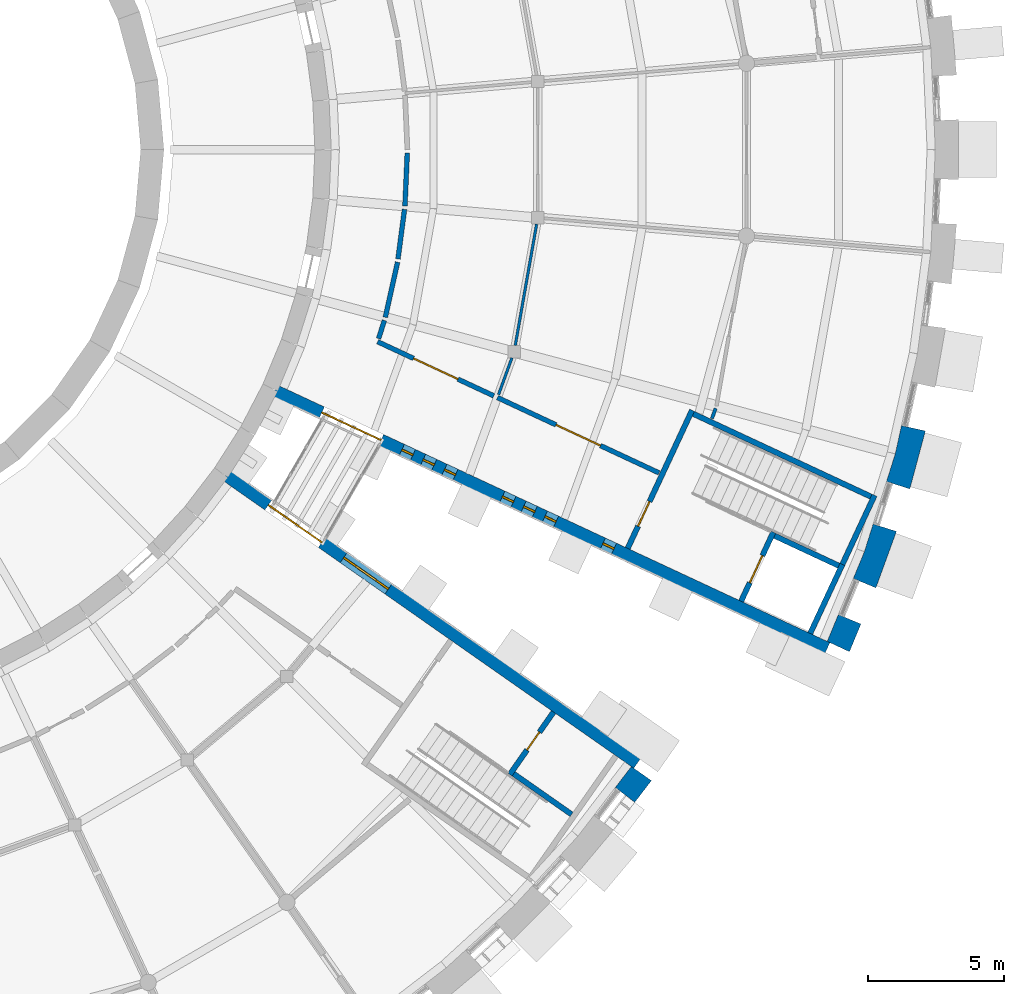
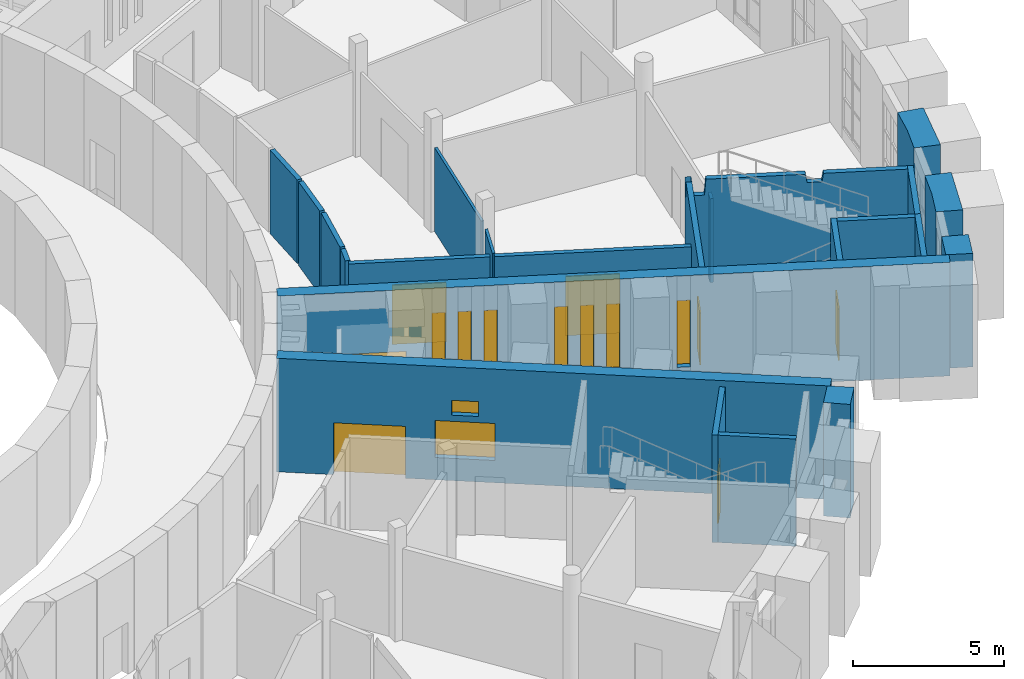
# One storey, part 44 of 66: 23 walls, 9 windows, 7 doors, 16 openings.
"""IFC4 building model written with IfcOpenShell, lengths in metres."""

from ifc_helpers import new_model, si_unit, direction, frame, frame_2d, origin, place, context, subcontext, project, spatial, polyline, rectangle, outline, extrude, material, layer, layer_set, type_object, element, fill, save


model = new_model("IFC4")

# Units and contexts
model_context = context("Model", 3, precision=1e-05, world=origin(), true_north=direction((0.0, 1.0)))
body_context = subcontext(model_context, "Body", "Model", "MODEL_VIEW")
ifc_project = project(units=[si_unit("LENGTHUNIT", "METRE"), si_unit("AREAUNIT", "SQUARE_METRE"), si_unit("VOLUMEUNIT", "CUBIC_METRE"), si_unit("PLANEANGLEUNIT", "RADIAN"), si_unit("MASSUNIT", "GRAM", prefix="KILO")], contexts=[model_context])

# Site, building, storey
site_placement = place(None, origin())
site = spatial("IfcSite", under=ifc_project, at=site_placement, CompositionType="ELEMENT")
building_placement = place(site_placement, origin())
building = spatial("IfcBuilding", under=site, at=building_placement, Name="Volute Hill Aquarium", CompositionType="ELEMENT")
storey_placement = place(building_placement, frame((0.0, 0.0, 4.60009765625)))
storey = spatial("IfcBuildingStorey", under=building, at=storey_placement, Name="L02", CompositionType="ELEMENT", Elevation=4.60009765625)

# Wall, opening, door
ifc_material_1 = material(Name="Concrete C30/37", Category="concrete")
ifc_layer_1 = layer(ifc_material_1, 0.199951171875)
ifc_layer_set_1 = layer_set([ifc_layer_1], Name="Core wall 200 REI 60")
wall_type_1 = type_object("IfcWallType", Name="Core wall 200 REI 60", PredefinedType="SHEAR", material=ifc_layer_set_1)
wall_1_placement = place(storey_placement, frame((31.89599609375, -14.652587890625, 0.0), z_axis=(0.0, 0.0, 1.0), x_axis=(0.422632457081, 0.906301167505, 0.0)))
wall_1 = element("IfcWall", 1, at=wall_1_placement, inside=storey, type_object=wall_type_1, Name="wc/S4-A/L02/in", PredefinedType="SHEAR", context=body_context, shape_type="SweptSolid", body=[
    extrude(outline(polyline([(0.0, 0.0), (5.599853515625, 0.0), (5.60009765625, 4.349853515625), (5.550048828125, 3.7099609375), (5.35009765625, 3.7099609375), (5.300048828125, 4.349853515625), (0.0, 4.349853515625), (0.0, 0.0)])), frame((0.0, 0.10009765625, 0.0), z_axis=(0.0, -1.0, 0.0), x_axis=(1.0, 0.0, 0.0)), (0.0, 0.0, 1.0), 0.199951171875),
])
opening_1_placement = place(wall_1_placement, frame((0.89990234375, 0.0, 0.0)))
opening_1 = element("IfcOpeningElement", 2, at=opening_1_placement, cuts=wall_1, Name="Opening D4.02.AS", PredefinedType="OPENING", context=body_context, shape_type="SweptSolid", body=[
    extrude(rectangle(XDim=1.0, YDim=2.10009765625, at=frame_2d((0.5, 1.050048828125))), frame((0.0, 0.10986328125, 0.0), z_axis=(0.0, -1.0, 0.0), x_axis=(1.0, 0.0, 0.0)), (0.0, 0.0, 1.0), 0.219970703125),
])
ifc_material_2 = material(Name="Timber, fire-rated", Category="wood")
door_type_1 = type_object("IfcDoorType", Name="Door 1000 x 2100 single EI1 30", OperationType="SINGLE_SWING_LEFT", PredefinedType="DOOR", material=ifc_material_2)
door_1_placement = place(opening_1_placement, origin())
door_1 = element("IfcDoor", 3, at=door_1_placement, inside=storey, type_object=door_type_1, Name="d/S4-A/L02/st", OperationType="SINGLE_SWING_RIGHT", OverallHeight=2.10009765625, OverallWidth=1.0, PredefinedType="DOOR", context=body_context, shape_type="SweptSolid", body=[
    extrude(rectangle(XDim=1.0, YDim=2.10009765625, at=frame_2d((0.5, 1.050048828125))), frame((0.0, 0.02490234375, 0.0), z_axis=(0.0, -1.0, 0.0), x_axis=(1.0, 0.0, 0.0)), (0.0, 0.0, 1.0), 0.050048828125),
])
fill(opening_1, door_1)

# Walls
wall_2_placement = place(storey_placement, frame((34.31103515625, -9.710205078125, 0.0), z_axis=(0.0, 0.0, 1.0), x_axis=(0.906300917592, -0.422632992999, 0.0)))
element("IfcWall", 4, at=wall_2_placement, inside=storey, type_object=wall_type_1, Name="wc/S4-A/L02/side", PredefinedType="SHEAR", context=body_context, shape_type="SweptSolid", body=[
    extrude(outline(polyline([(0.0, 0.0), (7.199951171875, 0.0), (7.199951171875, 4.349853515625), (4.392578125, 4.349853515625), (4.342529296875, 4.010009765625), (3.842529296875, 4.010009765625), (3.79248046875, 4.349853515625), (0.477294921875, 4.349853515625), (0.42724609375, 3.7099609375), (0.050048828125, 3.7099609375), (0.0, 4.349853515625), (0.0, 0.0)])), frame((0.0, 0.10009765625, 0.0), z_axis=(0.0, -1.0, 0.0), x_axis=(1.0, 0.0, 0.0)), (0.0, 0.0, 1.0), 0.199951171875),
])
wall_3_placement = place(storey_placement, frame((39.785888671875, -15.242431640625, 0.0), z_axis=(0.0, 0.0, 1.0), x_axis=(0.422599061068, 0.90631674021, 0.0)))
element("IfcWall", 5, at=wall_3_placement, inside=storey, type_object=wall_type_1, Name="wc/S4-A/L02/out-b", PredefinedType="SHEAR", context=body_context, shape_type="SweptSolid", body=[
    extrude(rectangle(XDim=2.80029296875, YDim=0.199951171875, at=frame_2d((1.400146484375, 0.0))), origin(), (0.0, 0.0, 1.0), 4.349853515625),
])

# Wall, opening, door
ifc_material_3 = material(Name="Gypsum board on steel studs", Category="steel")
ifc_layer_2 = layer(ifc_material_3, 0.175048828125)
ifc_layer_set_2 = layer_set([ifc_layer_2], Name="Corridor partition 175 EI 60")
wall_type_2 = type_object("IfcWallType", Name="Corridor partition 175 EI 60", PredefinedType="PARTITIONING", material=ifc_layer_set_2)
wall_4_placement = place(storey_placement, frame((27.109619140625, -9.110595703125, 0.0), z_axis=(0.0, 0.0, 1.0), x_axis=(0.906297375057, -0.422640589585, 0.0)))
wall_4 = element("IfcWall", 6, at=wall_4_placement, inside=storey, type_object=wall_type_2, Name="pw/S4/L02/004", PredefinedType="PARTITIONING", context=body_context, shape_type="SweptSolid", body=[
    extrude(rectangle(XDim=6.550048828125, YDim=0.175048828125, at=frame_2d((3.27490234375, 0.0))), origin(), (0.0, 0.0, 1.0), 3.389892578125),
])
opening_2_placement = place(wall_4_placement, frame((2.375, 0.0, 0.0)))
opening_2 = element("IfcOpeningElement", 7, at=opening_2_placement, cuts=wall_4, Name="Opening D4.02.03", PredefinedType="OPENING", context=body_context, shape_type="SweptSolid", body=[
    extrude(rectangle(XDim=1.800048828125, YDim=2.39990234375, at=frame_2d((0.89990234375, 1.199951171875))), frame((0.0, 0.097412109375, 0.0), z_axis=(0.0, -1.0, 0.0), x_axis=(1.0, 0.0, 0.0)), (0.0, 0.0, 1.0), 0.195068359375),
])
ifc_material_4 = material(Name="Timber, fire-rated", Category="wood")
door_type_2 = type_object("IfcDoorType", Name="Door 1800 x 2400 gallery double EI1 30", OperationType="DOUBLE_DOOR_SINGLE_SWING", PredefinedType="DOOR", material=ifc_material_4)
door_2_placement = place(opening_2_placement, origin())
door_2 = element("IfcDoor", 8, at=door_2_placement, inside=storey, type_object=door_type_2, Name="d/S4/L02/03", OperationType="SINGLE_SWING_LEFT", OverallHeight=2.39990234375, OverallWidth=1.800048828125, PredefinedType="DOOR", context=body_context, shape_type="SweptSolid", body=[
    extrude(rectangle(XDim=1.800048828125, YDim=2.39990234375, at=frame_2d((0.89990234375, 1.199951171875))), frame((0.0, 0.02490234375, 0.0), z_axis=(0.0, -1.0, 0.0), x_axis=(1.0, 0.0, 0.0)), (0.0, 0.0, 1.0), 0.050048828125),
])
fill(opening_2, door_2)

wall_5_placement = place(storey_placement, frame((22.7060546875, -7.057373046875, 0.0), z_axis=(0.0, 0.0, 1.0), x_axis=(0.906308936169, -0.422615797409, 0.0)))
wall_5 = element("IfcWall", 9, at=wall_5_placement, inside=storey, type_object=wall_type_2, Name="pw/S4/L02/010", PredefinedType="PARTITIONING", context=body_context, shape_type="SweptSolid", body=[
    extrude(rectangle(XDim=4.708740234375, YDim=0.175048828125, at=frame_2d((2.3544921875, 0.0))), origin(), (0.0, 0.0, 1.0), 3.389892578125),
])
opening_3_placement = place(wall_5_placement, frame((1.454345703125, 0.0, 0.0)))
opening_3 = element("IfcOpeningElement", 10, at=opening_3_placement, cuts=wall_5, Name="Opening D4.02.01", PredefinedType="OPENING", context=body_context, shape_type="SweptSolid", body=[
    extrude(rectangle(XDim=1.800048828125, YDim=2.39990234375, at=frame_2d((0.89990234375, 1.199951171875))), frame((0.0, 0.097412109375, 0.0), z_axis=(0.0, -1.0, 0.0), x_axis=(1.0, 0.0, 0.0)), (0.0, 0.0, 1.0), 0.195068359375),
])
door_3_placement = place(opening_3_placement, origin())
door_3 = element("IfcDoor", 11, at=door_3_placement, inside=storey, type_object=door_type_2, Name="d/S4/L02/01", OperationType="SINGLE_SWING_LEFT", OverallHeight=2.39990234375, OverallWidth=1.800048828125, PredefinedType="DOOR", context=body_context, shape_type="SweptSolid", body=[
    extrude(rectangle(XDim=1.800048828125, YDim=2.39990234375, at=frame_2d((0.89990234375, 1.199951171875))), frame((0.0, 0.02490234375, 0.0), z_axis=(0.0, -1.0, 0.0), x_axis=(1.0, 0.0, 0.0)), (0.0, 0.0, 1.0), 0.050048828125),
])
fill(opening_3, door_3)

# Walls
wall_6_placement = place(storey_placement, frame((23.4384765625, -4.1328125, 0.0), z_axis=(0.0, 0.0, 1.0), x_axis=(-0.216469786072, -0.97628931763, 0.0)))
element("IfcWall", 12, at=wall_6_placement, inside=storey, type_object=wall_type_2, Name="pw/S4/L02/023", PredefinedType="PARTITIONING", context=body_context, shape_type="SweptSolid", body=[
    extrude(rectangle(XDim=2.076416015625, YDim=0.175048828125, at=frame_2d((1.0380859375, 0.0))), origin(), (0.0, 0.0, 1.0), 3.389892578125),
])
wall_7_placement = place(storey_placement, frame((23.794921875, -0.117431640625, 0.0), z_axis=(0.0, 0.0, 1.0), x_axis=(-0.043626546244, -0.999047908993, 0.0)))
element("IfcWall", 13, at=wall_7_placement, inside=storey, type_object=wall_type_2, Name="pw/S4/L02/025", PredefinedType="PARTITIONING", context=body_context, shape_type="SweptSolid", body=[
    extrude(rectangle(XDim=1.958740234375, YDim=0.175048828125, at=frame_2d((0.9794921875, 0.0))), origin(), (0.0, 0.0, 1.0), 3.389892578125),
])
wall_8_placement = place(storey_placement, frame((23.694091796875, -2.19091796875, 0.0), z_axis=(0.0, 0.0, 1.0), x_axis=(-0.130608862447, -0.991433974126, 0.0)))
element("IfcWall", 14, at=wall_8_placement, inside=storey, type_object=wall_type_2, Name="pw/S4/L02/027", PredefinedType="PARTITIONING", context=body_context, shape_type="SweptSolid", body=[
    extrude(rectangle(XDim=1.84130859375, YDim=0.175048828125, at=frame_2d((0.920654296875, 0.0))), origin(), (0.0, 0.0, 1.0), 3.389892578125),
])
wall_9_placement = place(storey_placement, frame((22.95361328125, -6.27197265625, 0.0), z_axis=(0.0, 0.0, 1.0), x_axis=(-0.300518931654, -0.953775849829, 0.0)))
element("IfcWall", 15, at=wall_9_placement, inside=storey, type_object=wall_type_2, Name="pw/S4/L02/031", PredefinedType="PARTITIONING", context=body_context, shape_type="SweptSolid", body=[
    extrude(rectangle(XDim=0.7060546875, YDim=0.175048828125, at=frame_2d((0.35302734375, 0.0))), origin(), (0.0, 0.0, 1.0), 3.389892578125),
])

# Wall, openings, door, windows
ifc_material_5 = material(Name="Concrete C35/45", Category="concrete")
ifc_layer_3 = layer(ifc_material_5, 0.449951171875)
ifc_layer_set_3 = layer_set([ifc_layer_3], Name="End wall 450 C35/45")
wall_type_3 = type_object("IfcWallType", Name="End wall 450 C35/45", PredefinedType="SHEAR", material=ifc_layer_set_3)
wall_10_placement = place(storey_placement, frame((17.134521484375, -11.96728515625, 0.0), z_axis=(0.0, 0.0, 1.0), x_axis=(0.819154205715, -0.573573349502, 0.0)))
wall_10 = element("IfcWall", 16, at=wall_10_placement, inside=storey, type_object=wall_type_3, Name="sw/S3/L02/endB", PredefinedType="SHEAR", context=body_context, shape_type="SweptSolid", body=[
    extrude(rectangle(XDim=18.4501953125, YDim=0.449951171875, at=frame_2d((9.22509765625, 0.0))), origin(), (0.0, 0.0, 1.0), 4.599853515625),
])
opening_4_placement = place(wall_10_placement, frame((5.277587890625, 0.0, 0.89990234375)))
opening_4 = element("IfcOpeningElement", 17, at=opening_4_placement, cuts=wall_10, Name="Opening W11", PredefinedType="OPENING", context=body_context, shape_type="SweptSolid", body=[
    extrude(rectangle(XDim=2.007568359375, YDim=1.5, at=frame_2d((1.00390625, 0.75))), frame((0.0, 0.23486328125, 0.0), z_axis=(0.0, -1.0, 0.0), x_axis=(1.0, 0.0, 0.0)), (0.0, 0.0, 1.0), 0.469970703125),
])
opening_5_placement = place(wall_10_placement, frame((5.831298828125, 0.0, 2.64990234375)))
opening_5 = element("IfcOpeningElement", 18, at=opening_5_placement, cuts=wall_10, Name="Opening W10", PredefinedType="OPENING", context=body_context, shape_type="SweptSolid", body=[
    extrude(rectangle(XDim=0.89990234375, YDim=0.60009765625, at=frame_2d((0.449951171875, 0.300048828125))), frame((0.0, 0.23486328125, 0.0), z_axis=(0.0, -1.0, 0.0), x_axis=(1.0, 0.0, 0.0)), (0.0, 0.0, 1.0), 0.469970703125),
])
opening_6_placement = place(wall_10_placement, frame((1.89990234375, 0.0, 0.0)))
opening_6 = element("IfcOpeningElement", 19, at=opening_6_placement, cuts=wall_10, Name="Opening D3.02.BB", PredefinedType="OPENING", context=body_context, shape_type="SweptSolid", body=[
    extrude(rectangle(XDim=2.39990234375, YDim=2.10009765625, at=frame_2d((1.199951171875, 1.050048828125))), frame((0.0, 0.23486328125, 0.0), z_axis=(0.0, -1.0, 0.0), x_axis=(1.0, 0.0, 0.0)), (0.0, 0.0, 1.0), 0.469970703125),
])
ifc_material_6 = material(Name="Timber", Category="wood")
door_type_3 = type_object("IfcDoorType", Name="Door 2400 x 2100 bridge double", OperationType="DOUBLE_DOOR_SINGLE_SWING", PredefinedType="DOOR", material=ifc_material_6)
door_4_placement = place(opening_6_placement, origin())
door_4 = element("IfcDoor", 20, at=door_4_placement, inside=storey, type_object=door_type_3, Name="d/S3/L02/brB", OperationType="SINGLE_SWING_LEFT", OverallHeight=2.10009765625, OverallWidth=2.39990234375, PredefinedType="DOOR", context=body_context, shape_type="SweptSolid", body=[
    extrude(rectangle(XDim=2.39990234375, YDim=2.10009765625, at=frame_2d((1.199951171875, 1.050048828125))), frame((0.0, 0.02490234375, 0.0), z_axis=(0.0, -1.0, 0.0), x_axis=(1.0, 0.0, 0.0)), (0.0, 0.0, 1.0), 0.050048828125),
])
fill(opening_6, door_4)
ifc_material_7 = material(Name="Aluminium and glass", Category="aluminium")
window_type_1 = type_object("IfcWindowType", Name="End wall window 2007x1500", PartitioningType="SINGLE_PANEL", PredefinedType="WINDOW", material=ifc_material_7)
window_1_placement = place(opening_4_placement, origin())
window_1 = element("IfcWindow", 21, at=window_1_placement, inside=storey, type_object=window_type_1, Name="End wall window S3B L02 2.1", OverallHeight=1.5, OverallWidth=2.007568359375, PartitioningType="SINGLE_PANEL", PredefinedType="WINDOW", context=body_context, shape_type="SweptSolid", body=[
    extrude(rectangle(XDim=2.007568359375, YDim=1.5, at=frame_2d((1.00390625, 0.75))), frame((0.0, 0.030029296875, 0.0), z_axis=(0.0, -1.0, 0.0), x_axis=(1.0, 0.0, 0.0)), (0.0, 0.0, 1.0), 0.06005859375),
])
fill(opening_4, window_1)
ifc_material_8 = material(Name="Aluminium and glass", Category="aluminium")
window_type_2 = type_object("IfcWindowType", Name="End wall window 900x600", PartitioningType="SINGLE_PANEL", PredefinedType="WINDOW", material=ifc_material_8)
window_2_placement = place(opening_5_placement, origin())
window_2 = element("IfcWindow", 22, at=window_2_placement, inside=storey, type_object=window_type_2, Name="End wall window S3B L02 2.2", OverallHeight=0.60009765625, OverallWidth=0.89990234375, PartitioningType="SINGLE_PANEL", PredefinedType="WINDOW", context=body_context, shape_type="SweptSolid", body=[
    extrude(rectangle(XDim=0.89990234375, YDim=0.60009765625, at=frame_2d((0.449951171875, 0.300048828125))), frame((0.0, 0.030029296875, 0.0), z_axis=(0.0, -1.0, 0.0), x_axis=(1.0, 0.0, 0.0)), (0.0, 0.0, 1.0), 0.06005859375),
])
fill(opening_5, window_2)

wall_11_placement = place(storey_placement, frame((18.931396484375, -8.85546875, 0.0), z_axis=(0.0, 0.0, 1.0), x_axis=(0.906309235651, -0.422615155162, 0.0)))
wall_11 = element("IfcWall", 23, at=wall_11_placement, inside=storey, type_object=wall_type_3, Name="sw/S4/L02/endA", PredefinedType="SHEAR", context=body_context, shape_type="SweptSolid", body=[
    extrude(rectangle(XDim=22.39990234375, YDim=0.449951171875, at=frame_2d((11.199951171875, 0.0))), origin(), (0.0, 0.0, 1.0), 4.599853515625),
])
opening_7_placement = place(wall_11_placement, frame((5.146240234375, 0.0, 0.89990234375)))
opening_7 = element("IfcOpeningElement", 24, at=opening_7_placement, cuts=wall_11, Name="Opening W12", PredefinedType="OPENING", context=body_context, shape_type="SweptSolid", body=[
    extrude(rectangle(XDim=0.449951171875, YDim=2.699951171875, at=frame_2d((0.22509765625, 1.35009765625))), frame((0.0, 0.23486328125, 0.0), z_axis=(0.0, -1.0, 0.0), x_axis=(1.0, 0.0, 0.0)), (0.0, 0.0, 1.0), 0.469970703125),
])
opening_8_placement = place(wall_11_placement, frame((6.009033203125, 0.0, 0.89990234375)))
opening_8 = element("IfcOpeningElement", 25, at=opening_8_placement, cuts=wall_11, Name="Opening W12", PredefinedType="OPENING", context=body_context, shape_type="SweptSolid", body=[
    extrude(rectangle(XDim=0.449951171875, YDim=2.699951171875, at=frame_2d((0.22509765625, 1.35009765625))), frame((0.0, 0.23486328125, 0.0), z_axis=(0.0, -1.0, 0.0), x_axis=(1.0, 0.0, 0.0)), (0.0, 0.0, 1.0), 0.469970703125),
])
opening_9_placement = place(wall_11_placement, frame((6.871826171875, 0.0, 0.89990234375)))
opening_9 = element("IfcOpeningElement", 26, at=opening_9_placement, cuts=wall_11, Name="Opening W12", PredefinedType="OPENING", context=body_context, shape_type="SweptSolid", body=[
    extrude(rectangle(XDim=0.449951171875, YDim=2.699951171875, at=frame_2d((0.22509765625, 1.35009765625))), frame((0.0, 0.23486328125, 0.0), z_axis=(0.0, -1.0, 0.0), x_axis=(1.0, 0.0, 0.0)), (0.0, 0.0, 1.0), 0.469970703125),
])
opening_10_placement = place(wall_11_placement, frame((9.22216796875, 0.0, 0.89990234375)))
opening_10 = element("IfcOpeningElement", 27, at=opening_10_placement, cuts=wall_11, Name="Opening W12", PredefinedType="OPENING", context=body_context, shape_type="SweptSolid", body=[
    extrude(rectangle(XDim=0.449951171875, YDim=2.699951171875, at=frame_2d((0.22509765625, 1.35009765625))), frame((0.0, 0.23486328125, 0.0), z_axis=(0.0, -1.0, 0.0), x_axis=(1.0, 0.0, 0.0)), (0.0, 0.0, 1.0), 0.469970703125),
])
opening_11_placement = place(wall_11_placement, frame((10.0849609375, 0.0, 0.89990234375)))
opening_11 = element("IfcOpeningElement", 28, at=opening_11_placement, cuts=wall_11, Name="Opening W12", PredefinedType="OPENING", context=body_context, shape_type="SweptSolid", body=[
    extrude(rectangle(XDim=0.449951171875, YDim=2.699951171875, at=frame_2d((0.22509765625, 1.35009765625))), frame((0.0, 0.23486328125, 0.0), z_axis=(0.0, -1.0, 0.0), x_axis=(1.0, 0.0, 0.0)), (0.0, 0.0, 1.0), 0.469970703125),
])
opening_12_placement = place(wall_11_placement, frame((10.94775390625, 0.0, 0.89990234375)))
opening_12 = element("IfcOpeningElement", 29, at=opening_12_placement, cuts=wall_11, Name="Opening W12", PredefinedType="OPENING", context=body_context, shape_type="SweptSolid", body=[
    extrude(rectangle(XDim=0.449951171875, YDim=2.699951171875, at=frame_2d((0.22509765625, 1.35009765625))), frame((0.0, 0.23486328125, 0.0), z_axis=(0.0, -1.0, 0.0), x_axis=(1.0, 0.0, 0.0)), (0.0, 0.0, 1.0), 0.469970703125),
])
opening_13_placement = place(wall_11_placement, frame((13.298095703125, 0.0, 0.89990234375)))
opening_13 = element("IfcOpeningElement", 30, at=opening_13_placement, cuts=wall_11, Name="Opening W12", PredefinedType="OPENING", context=body_context, shape_type="SweptSolid", body=[
    extrude(rectangle(XDim=0.449951171875, YDim=2.699951171875, at=frame_2d((0.22509765625, 1.35009765625))), frame((0.0, 0.23486328125, 0.0), z_axis=(0.0, -1.0, 0.0), x_axis=(1.0, 0.0, 0.0)), (0.0, 0.0, 1.0), 0.469970703125),
])
opening_14_placement = place(wall_11_placement, frame((1.89990234375, 0.0, 0.0)))
opening_14 = element("IfcOpeningElement", 31, at=opening_14_placement, cuts=wall_11, Name="Opening D4.02.BA", PredefinedType="OPENING", context=body_context, shape_type="SweptSolid", body=[
    extrude(rectangle(XDim=2.39990234375, YDim=2.10009765625, at=frame_2d((1.199951171875, 1.050048828125))), frame((0.0, 0.23486328125, 0.0), z_axis=(0.0, -1.0, 0.0), x_axis=(1.0, 0.0, 0.0)), (0.0, 0.0, 1.0), 0.469970703125),
])
door_5_placement = place(opening_14_placement, origin())
door_5 = element("IfcDoor", 32, at=door_5_placement, inside=storey, type_object=door_type_3, Name="d/S4/L02/brA", OperationType="SINGLE_SWING_LEFT", OverallHeight=2.10009765625, OverallWidth=2.39990234375, PredefinedType="DOOR", context=body_context, shape_type="SweptSolid", body=[
    extrude(rectangle(XDim=2.39990234375, YDim=2.10009765625, at=frame_2d((1.199951171875, 1.050048828125))), frame((0.0, 0.02490234375, 0.0), z_axis=(0.0, -1.0, 0.0), x_axis=(1.0, 0.0, 0.0)), (0.0, 0.0, 1.0), 0.050048828125),
])
fill(opening_14, door_5)
ifc_material_9 = material(Name="Aluminium and glass", Category="aluminium")
window_type_3 = type_object("IfcWindowType", Name="End wall window 450x2700", PartitioningType="SINGLE_PANEL", PredefinedType="WINDOW", material=ifc_material_9)
window_3_placement = place(opening_7_placement, origin())
window_3 = element("IfcWindow", 33, at=window_3_placement, inside=storey, type_object=window_type_3, Name="End wall window S4A L02 2.1", OverallHeight=2.699951171875, OverallWidth=0.449951171875, PartitioningType="SINGLE_PANEL", PredefinedType="WINDOW", context=body_context, shape_type="SweptSolid", body=[
    extrude(rectangle(XDim=0.449951171875, YDim=2.699951171875, at=frame_2d((0.22509765625, 1.35009765625))), frame((0.0, 0.030029296875, 0.0), z_axis=(0.0, -1.0, 0.0), x_axis=(1.0, 0.0, 0.0)), (0.0, 0.0, 1.0), 0.06005859375),
])
fill(opening_7, window_3)
window_4_placement = place(opening_8_placement, origin())
window_4 = element("IfcWindow", 34, at=window_4_placement, inside=storey, type_object=window_type_3, Name="End wall window S4A L02 2.2", OverallHeight=2.699951171875, OverallWidth=0.449951171875, PartitioningType="SINGLE_PANEL", PredefinedType="WINDOW", context=body_context, shape_type="SweptSolid", body=[
    extrude(rectangle(XDim=0.449951171875, YDim=2.699951171875, at=frame_2d((0.22509765625, 1.35009765625))), frame((0.0, 0.030029296875, 0.0), z_axis=(0.0, -1.0, 0.0), x_axis=(1.0, 0.0, 0.0)), (0.0, 0.0, 1.0), 0.06005859375),
])
fill(opening_8, window_4)
window_5_placement = place(opening_9_placement, origin())
window_5 = element("IfcWindow", 35, at=window_5_placement, inside=storey, type_object=window_type_3, Name="End wall window S4A L02 2.3", OverallHeight=2.699951171875, OverallWidth=0.449951171875, PartitioningType="SINGLE_PANEL", PredefinedType="WINDOW", context=body_context, shape_type="SweptSolid", body=[
    extrude(rectangle(XDim=0.449951171875, YDim=2.699951171875, at=frame_2d((0.22509765625, 1.35009765625))), frame((0.0, 0.030029296875, 0.0), z_axis=(0.0, -1.0, 0.0), x_axis=(1.0, 0.0, 0.0)), (0.0, 0.0, 1.0), 0.06005859375),
])
fill(opening_9, window_5)
window_6_placement = place(opening_10_placement, origin())
window_6 = element("IfcWindow", 36, at=window_6_placement, inside=storey, type_object=window_type_3, Name="End wall window S4A L02 3.1", OverallHeight=2.699951171875, OverallWidth=0.449951171875, PartitioningType="SINGLE_PANEL", PredefinedType="WINDOW", context=body_context, shape_type="SweptSolid", body=[
    extrude(rectangle(XDim=0.449951171875, YDim=2.699951171875, at=frame_2d((0.22509765625, 1.35009765625))), frame((0.0, 0.030029296875, 0.0), z_axis=(0.0, -1.0, 0.0), x_axis=(1.0, 0.0, 0.0)), (0.0, 0.0, 1.0), 0.06005859375),
])
fill(opening_10, window_6)
window_7_placement = place(opening_11_placement, origin())
window_7 = element("IfcWindow", 37, at=window_7_placement, inside=storey, type_object=window_type_3, Name="End wall window S4A L02 3.2", OverallHeight=2.699951171875, OverallWidth=0.449951171875, PartitioningType="SINGLE_PANEL", PredefinedType="WINDOW", context=body_context, shape_type="SweptSolid", body=[
    extrude(rectangle(XDim=0.449951171875, YDim=2.699951171875, at=frame_2d((0.22509765625, 1.35009765625))), frame((0.0, 0.030029296875, 0.0), z_axis=(0.0, -1.0, 0.0), x_axis=(1.0, 0.0, 0.0)), (0.0, 0.0, 1.0), 0.06005859375),
])
fill(opening_11, window_7)
window_8_placement = place(opening_12_placement, origin())
window_8 = element("IfcWindow", 38, at=window_8_placement, inside=storey, type_object=window_type_3, Name="End wall window S4A L02 3.3", OverallHeight=2.699951171875, OverallWidth=0.449951171875, PartitioningType="SINGLE_PANEL", PredefinedType="WINDOW", context=body_context, shape_type="SweptSolid", body=[
    extrude(rectangle(XDim=0.449951171875, YDim=2.699951171875, at=frame_2d((0.22509765625, 1.35009765625))), frame((0.0, 0.030029296875, 0.0), z_axis=(0.0, -1.0, 0.0), x_axis=(1.0, 0.0, 0.0)), (0.0, 0.0, 1.0), 0.06005859375),
])
fill(opening_12, window_8)
window_9_placement = place(opening_13_placement, origin())
window_9 = element("IfcWindow", 39, at=window_9_placement, inside=storey, type_object=window_type_3, Name="End wall window S4A L02 4.1", OverallHeight=2.699951171875, OverallWidth=0.449951171875, PartitioningType="SINGLE_PANEL", PredefinedType="WINDOW", context=body_context, shape_type="SweptSolid", body=[
    extrude(rectangle(XDim=0.449951171875, YDim=2.699951171875, at=frame_2d((0.22509765625, 1.35009765625))), frame((0.0, 0.030029296875, 0.0), z_axis=(0.0, -1.0, 0.0), x_axis=(1.0, 0.0, 0.0)), (0.0, 0.0, 1.0), 0.06005859375),
])
fill(opening_13, window_9)

# Walls
ifc_material_10 = material(Name="Gypsum board on steel studs", Category="steel")
ifc_layer_4 = layer(ifc_material_10, 0.10009765625)
ifc_layer_set_4 = layer_set([ifc_layer_4], Name="Light partition 100")
wall_type_4 = type_object("IfcWallType", Name="Light partition 100", PredefinedType="PARTITIONING", material=ifc_layer_set_4)
wall_12_placement = place(storey_placement, frame((28.54931640625, -2.737548828125, 0.0), z_axis=(0.0, 0.0, 1.0), x_axis=(-0.173696036677, -0.984799312978, 0.0)))
element("IfcWall", 40, at=wall_12_placement, inside=storey, type_object=wall_type_4, Name="pw/S4/L02/012", PredefinedType="PARTITIONING", context=body_context, shape_type="SweptSolid", body=[
    extrude(rectangle(XDim=4.523193359375, YDim=0.10009765625, at=frame_2d((2.26171875, 0.0))), origin(), (0.0, 0.0, 1.0), 3.389892578125),
])
wall_13_placement = place(storey_placement, frame((27.64013671875, -7.6533203125, 0.0), z_axis=(0.0, 0.0, 1.0), x_axis=(-0.342016566384, -0.939693922679, 0.0)))
element("IfcWall", 41, at=wall_13_placement, inside=storey, type_object=wall_type_4, Name="pw/S4/L02/028", PredefinedType="PARTITIONING", context=body_context, shape_type="SweptSolid", body=[
    extrude(rectangle(XDim=1.433349609375, YDim=0.10009765625, at=frame_2d((0.716796875, 0.0))), origin(), (0.0, 0.0, 1.0), 3.389892578125),
])
ifc_material_11 = material(Name="Precast concrete C40/50", Category="concrete")
ifc_layer_5 = layer(ifc_material_11, 0.89990234375)
ifc_layer_set_5 = layer_set([ifc_layer_5], Name="Outer pier precast concrete C40/50 900")
wall_type_5 = type_object("IfcWallType", Name="Outer pier precast concrete C40/50 900", PredefinedType="NOTDEFINED", material=ifc_layer_set_5)
wall_14_placement = place(storey_placement, origin())
element("IfcWall", 42, at=wall_14_placement, inside=storey, type_object=wall_type_5, Name="Outer pier OWP S3 L02 11", PredefinedType="NOTDEFINED", context=body_context, shape_type="SweptSolid", body=[
    extrude(outline(polyline([(31.440673828125, -23.43896484375), (32.154541015625, -23.98681640625), (32.767333984375, -23.188232421875), (32.029541015625, -22.67138671875), (31.440673828125, -23.43896484375)])), origin(), (0.0, 0.0, 1.0), 4.599853515625),
])
wall_15_placement = place(storey_placement, origin())
element("IfcWall", 43, at=wall_15_placement, inside=storey, type_object=wall_type_5, Name="Outer pier OWP S4 L02 1", PredefinedType="NOTDEFINED", context=body_context, shape_type="SweptSolid", body=[
    extrude(outline(polyline([(39.228759765625, -18.072021484375), (40.045166015625, -18.45263671875), (40.468017578125, -17.431884765625), (39.636474609375, -17.08740234375), (39.228759765625, -18.072021484375)])), origin(), (0.0, 0.0, 1.0), 4.599853515625),
])
wall_16_placement = place(storey_placement, origin())
element("IfcWall", 44, at=wall_16_placement, inside=storey, type_object=wall_type_5, Name="Outer pier OWP S4 L02 2", PredefinedType="NOTDEFINED", context=body_context, shape_type="SweptSolid", body=[
    extrude(outline(polyline([(40.1865234375, -15.759765625), (41.01806640625, -16.10400390625), (41.773193359375, -14.029541015625), (40.914794921875, -13.7587890625), (40.59423828125, -14.775146484375), (40.1865234375, -15.759765625)])), origin(), (0.0, 0.0, 1.0), 4.599853515625),
])
wall_17_placement = place(storey_placement, origin())
element("IfcWall", 45, at=wall_17_placement, inside=storey, type_object=wall_type_5, Name="Outer pier OWP S4 L02 3", PredefinedType="NOTDEFINED", context=body_context, shape_type="SweptSolid", body=[
    extrude(outline(polyline([(41.4072265625, -12.197265625), (42.265625, -12.4677734375), (42.8369140625, -10.33544921875), (41.958251953125, -10.140625), (41.7275390625, -11.180908203125), (41.4072265625, -12.197265625)])), origin(), (0.0, 0.0, 1.0), 4.599853515625),
])

# Wall, opening, door
ifc_material_12 = material(Name="Masonry blockwork", Category="masonry")
ifc_layer_6 = layer(ifc_material_12, 0.199951171875)
ifc_layer_set_6 = layer_set([ifc_layer_6], Name="Riser wall 200 EI 60")
wall_type_6 = type_object("IfcWallType", Name="Riser wall 200 EI 60", PredefinedType="SOLIDWALL", material=ifc_layer_set_6)
wall_18_placement = place(storey_placement, frame((29.169921875, -20.669189453125, 0.0), z_axis=(0.0, 0.0, 1.0), x_axis=(-0.573550118428, -0.819170471667, 0.0)))
wall_18 = element("IfcWall", 46, at=wall_18_placement, inside=storey, type_object=wall_type_6, Name="wc/S3-B/L02/front", PredefinedType="SOLIDWALL", context=body_context, shape_type="SweptSolid", body=[
    extrude(rectangle(XDim=2.800048828125, YDim=0.199951171875, at=frame_2d((1.39990234375, 0.0))), origin(), (0.0, 0.0, 1.0), 4.349853515625),
])
opening_15_placement = place(wall_18_placement, frame((0.89990234375, 0.0, 0.0)))
opening_15 = element("IfcOpeningElement", 47, at=opening_15_placement, cuts=wall_18, Name="Opening D3.02.BR", PredefinedType="OPENING", context=body_context, shape_type="SweptSolid", body=[
    extrude(rectangle(XDim=0.800048828125, YDim=2.10009765625, at=frame_2d((0.39990234375, 1.050048828125))), frame((0.0, 0.10986328125, 0.0), z_axis=(0.0, -1.0, 0.0), x_axis=(1.0, 0.0, 0.0)), (0.0, 0.0, 1.0), 0.219970703125),
])
ifc_material_13 = material(Name="Steel, fire-rated", Category="steel")
door_type_4 = type_object("IfcDoorType", Name="Door 800 x 2100 riser EI1 30", OperationType="SINGLE_SWING_LEFT", PredefinedType="DOOR", material=ifc_material_13)
door_6_placement = place(opening_15_placement, origin())
door_6 = element("IfcDoor", 48, at=door_6_placement, inside=storey, type_object=door_type_4, Name="d/S3-B/L02/rs", OperationType="SINGLE_SWING_LEFT", OverallHeight=2.10009765625, OverallWidth=0.800048828125, PredefinedType="DOOR", context=body_context, shape_type="SweptSolid", body=[
    extrude(rectangle(XDim=0.800048828125, YDim=2.10009765625, at=frame_2d((0.39990234375, 1.050048828125))), frame((0.0, 0.02490234375, 0.0), z_axis=(0.0, -1.0, 0.0), x_axis=(1.0, 0.0, 0.0)), (0.0, 0.0, 1.0), 0.050048828125),
])
fill(opening_15, door_6)

# Walls
wall_19_placement = place(storey_placement, frame((27.703125, -22.938232421875, 0.0), z_axis=(0.0, 0.0, 1.0), x_axis=(0.819134863556, -0.573600972199, 0.0)))
element("IfcWall", 49, at=wall_19_placement, inside=storey, type_object=wall_type_6, Name="wc/S3-B/L02/shaft-side", PredefinedType="SOLIDWALL", context=body_context, shape_type="SweptSolid", body=[
    extrude(rectangle(XDim=2.60009765625, YDim=0.199951171875, at=frame_2d((1.300048828125, 0.0))), origin(), (0.0, 0.0, 1.0), 4.349853515625),
])
ifc_material_14 = material(Name="Concrete C30/37", Category="concrete")
ifc_layer_7 = layer(ifc_material_14, 0.199951171875)
ifc_layer_set_7 = layer_set([ifc_layer_7], Name="Shaft wall 200 EI 60")
wall_type_7 = type_object("IfcWallType", Name="Shaft wall 200 EI 60", PredefinedType="SOLIDWALL", material=ifc_layer_set_7)
wall_20_placement = place(storey_placement, frame((38.6025390625, -17.780029296875, 0.0), z_axis=(0.0, 0.0, 1.0), x_axis=(0.422632457081, 0.906301167505, 0.0)))
element("IfcWall", 50, at=wall_20_placement, inside=storey, type_object=wall_type_7, Name="wc/S4-A/L02/out-a", PredefinedType="SOLIDWALL", context=body_context, shape_type="SweptSolid", body=[
    extrude(rectangle(XDim=2.800048828125, YDim=0.199951171875, at=frame_2d((1.39990234375, 0.0))), origin(), (0.0, 0.0, 1.0), 4.349853515625),
])

# Wall, opening, door
wall_21_placement = place(storey_placement, frame((36.06494140625, -16.5966796875, 0.0), z_axis=(0.0, 0.0, 1.0), x_axis=(0.422632457081, 0.906301167505, 0.0)))
wall_21 = element("IfcWall", 51, at=wall_21_placement, inside=storey, type_object=wall_type_7, Name="wc/S4-A/L02/front", PredefinedType="SOLIDWALL", context=body_context, shape_type="SweptSolid", body=[
    extrude(rectangle(XDim=2.800048828125, YDim=0.199951171875, at=frame_2d((1.39990234375, 0.0))), origin(), (0.0, 0.0, 1.0), 4.349853515625),
])
opening_16_placement = place(wall_21_placement, frame((0.75, 0.0, 0.0)))
opening_16 = element("IfcOpeningElement", 52, at=opening_16_placement, cuts=wall_21, Name="Opening LD4.02.A", PredefinedType="OPENING", context=body_context, shape_type="SweptSolid", body=[
    extrude(rectangle(XDim=1.10009765625, YDim=2.10009765625, at=frame_2d((0.550048828125, 1.050048828125))), frame((0.0, 0.10986328125, 0.0), z_axis=(0.0, -1.0, 0.0), x_axis=(1.0, 0.0, 0.0)), (0.0, 0.0, 1.0), 0.219970703125),
])
ifc_material_15 = material(Name="Stainless steel", Category="steel")
door_type_5 = type_object("IfcDoorType", Name="Lift landing door 1100 x 2100", OperationType="SLIDING_TO_LEFT", PredefinedType="DOOR", material=ifc_material_15)
door_7_placement = place(opening_16_placement, origin())
door_7 = element("IfcDoor", 53, at=door_7_placement, inside=storey, type_object=door_type_5, Name="d/S4-A/L02/ld", OperationType="SLIDING_TO_LEFT", OverallHeight=2.10009765625, OverallWidth=1.10009765625, PredefinedType="DOOR", context=body_context, shape_type="SweptSolid", body=[
    extrude(rectangle(XDim=1.10009765625, YDim=2.10009765625, at=frame_2d((0.550048828125, 1.050048828125))), frame((0.0, 0.02490234375, 0.0), z_axis=(0.0, -1.0, 0.0), x_axis=(1.0, 0.0, 0.0)), (0.0, 0.0, 1.0), 0.050048828125),
])
fill(opening_16, door_7)

# Walls
wall_22_placement = place(storey_placement, frame((37.296630859375, -14.19189453125, 0.0), z_axis=(0.0, 0.0, 1.0), x_axis=(0.906300648467, -0.422633570115, 0.0)))
element("IfcWall", 54, at=wall_22_placement, inside=storey, type_object=wall_type_7, Name="wc/S4-A/L02/shaft-side", PredefinedType="SOLIDWALL", context=body_context, shape_type="SweptSolid", body=[
    extrude(rectangle(XDim=2.60009765625, YDim=0.199951171875, at=frame_2d((1.300048828125, 0.0))), origin(), (0.0, 0.0, 1.0), 4.349853515625),
])
ifc_material_16 = material(Name="Gypsum board on steel studs, tiled", Category="steel")
ifc_layer_8 = layer(ifc_material_16, 0.125)
ifc_layer_set_8 = layer_set([ifc_layer_8], Name="Wet-area partition 125")
wall_type_8 = type_object("IfcWallType", Name="Wet-area partition 125", PredefinedType="PARTITIONING", material=ifc_layer_set_8)
wall_23_placement = place(storey_placement, frame((35.128173828125, -9.5078125, 0.0), z_axis=(0.0, 0.0, 1.0), x_axis=(-0.342085762609, -0.939668734725, 0.0)))
element("IfcWall", 55, at=wall_23_placement, inside=storey, type_object=wall_type_8, Name="pw/S4/L02/034", PredefinedType="PARTITIONING", context=body_context, shape_type="SweptSolid", body=[
    extrude(rectangle(XDim=0.400390625, YDim=0.125, at=frame_2d((0.2001953125, 0.0))), origin(), (0.0, 0.0, 1.0), 3.389892578125),
])

save(model, "model.ifc")
